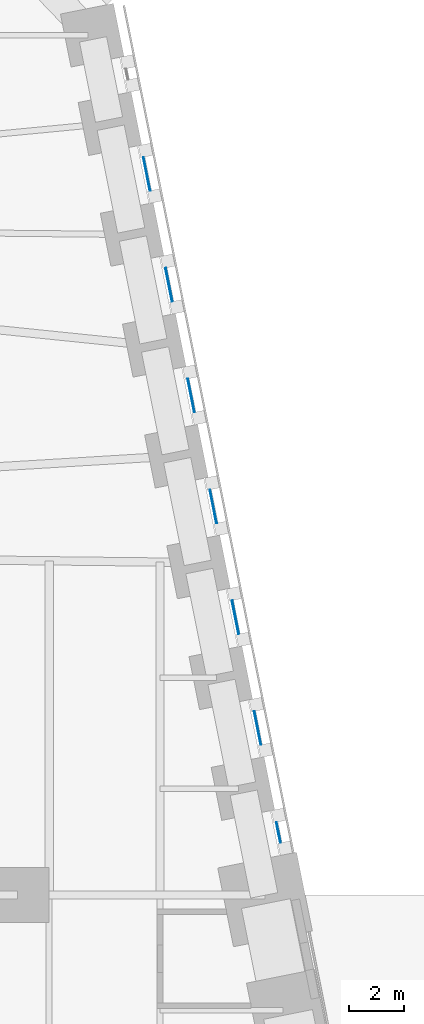
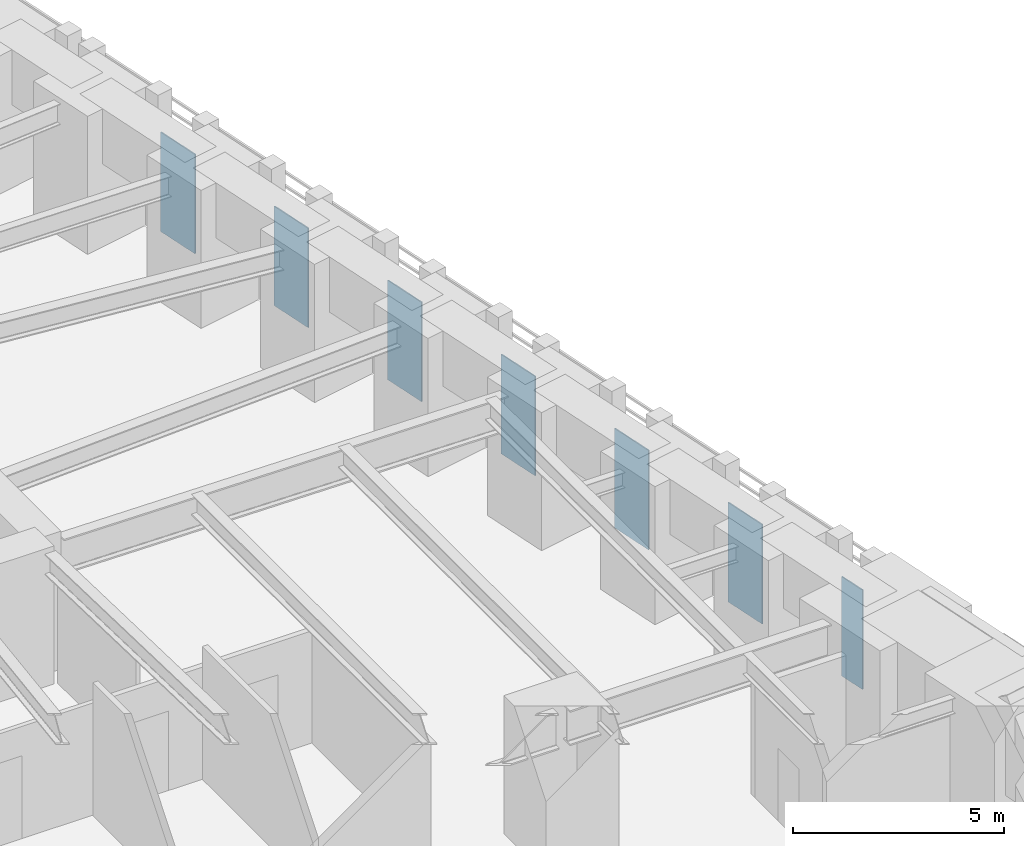
# One storey, part 9 of 18: 7 plates, 7 elements without a shape of their own.
"""IFC4 building model written with IfcOpenShell, lengths in metres."""

from ifc_helpers import new_model, si_unit, direction, frame, origin, origin_2d, place, context, subcontext, project, spatial, rectangle, extrude, material, layer, layer_set, type_object, element, aggregate, save


model = new_model("IFC4")

# Units and contexts
model_context = context("Model", 3, precision=1e-05, world=origin(), true_north=direction((0.0, 1.0)))
body_context = subcontext(model_context, "Body", "Model", "MODEL_VIEW")
ifc_project = project(units=[si_unit("LENGTHUNIT", "METRE"), si_unit("AREAUNIT", "SQUARE_METRE"), si_unit("VOLUMEUNIT", "CUBIC_METRE"), si_unit("PLANEANGLEUNIT", "RADIAN"), si_unit("MASSUNIT", "GRAM", prefix="KILO")], contexts=[model_context])

# Site, building, storey
site_placement = place(None, origin())
site = spatial("IfcSite", under=ifc_project, at=site_placement, CompositionType="ELEMENT")
building_placement = place(site_placement, origin())
building = spatial("IfcBuilding", under=site, at=building_placement, Name="Isbrekke Arena Tower", CompositionType="ELEMENT")
storey_placement = place(building_placement, frame((0.0, 0.0, 28.0)))
storey = spatial("IfcBuildingStorey", under=building, at=storey_placement, Name="L04", CompositionType="ELEMENT", Elevation=28.0)

# Curtain wall, plate
ifc_material_1 = material(Name="Glazed aluminium curtain wall", Category="aluminium")
curtain_wall_type = type_object("IfcCurtainWallType", Name="CWL TOWER CURTAIN WALL LOW ZONE", PredefinedType="USERDEFINED", material=ifc_material_1)
curtain_wall_1_placement = place(storey_placement, origin())
curtain_wall_1 = element("IfcCurtainWall", 1, at=curtain_wall_1_placement, inside=storey, type_object=curtain_wall_type, Name="CWL curtain wall L04-E2", ObjectType="TOWER CURTAIN WALL LOW ZONE", PredefinedType="USERDEFINED")
ifc_material_2 = material(Name="Triple-glazed clear glass unit", Category="glass")
ifc_layer = layer(ifc_material_2, 0.031982421875)
ifc_layer_set = layer_set([ifc_layer], Name="CWL-P VISION PANEL")
plate_type = type_object("IfcPlateType", Name="CWL-P VISION PANEL", PredefinedType="CURTAIN_PANEL", material=ifc_layer_set)
plate_1_placement = place(storey_placement, frame((30.276123046875, -3.74365234375, 0.02001953125), z_axis=(0.0, 0.0, 1.0), x_axis=(-0.196116135138, 0.980580675691, 0.0)))
plate_1 = element("IfcPlate", 2, at=plate_1_placement, type_object=plate_type, Name="CWL-P panel 1", PredefinedType="CURTAIN_PANEL", context=body_context, shape_type="SweptSolid", body=[
    extrude(rectangle(XDim=0.756103515625, YDim=0.031982421875, at=origin_2d()), origin(), (0.0, 0.0, 1.0), 2.8798828125),
])
aggregate(curtain_wall_1, [plate_1])

curtain_wall_2_placement = place(storey_placement, origin())
curtain_wall_2 = element("IfcCurtainWall", 3, at=curtain_wall_2_placement, inside=storey, type_object=curtain_wall_type, Name="CWL curtain wall L04-E23", ObjectType="TOWER CURTAIN WALL LOW ZONE", PredefinedType="USERDEFINED")
plate_2_placement = place(storey_placement, frame((29.5224609375, 0.0244140625, 0.02001953125), z_axis=(0.0, 0.0, 1.0), x_axis=(-0.196116135138, 0.980580675691, 0.0)))
plate_2 = element("IfcPlate", 4, at=plate_2_placement, type_object=plate_type, Name="CWL-P panel 1", PredefinedType="CURTAIN_PANEL", context=body_context, shape_type="SweptSolid", body=[
    extrude(rectangle(XDim=1.229248046875, YDim=0.031982421875, at=origin_2d()), origin(), (0.0, 0.0, 1.0), 2.8798828125),
])
aggregate(curtain_wall_2, [plate_2])

curtain_wall_3_placement = place(storey_placement, origin())
curtain_wall_3 = element("IfcCurtainWall", 5, at=curtain_wall_3_placement, inside=storey, type_object=curtain_wall_type, Name="CWL curtain wall L04-E25", ObjectType="TOWER CURTAIN WALL LOW ZONE", PredefinedType="USERDEFINED")
plate_3_placement = place(storey_placement, frame((28.72265625, 4.0244140625, 0.02001953125), z_axis=(0.0, 0.0, 1.0), x_axis=(-0.196116135138, 0.980580675691, 0.0)))
plate_3 = element("IfcPlate", 6, at=plate_3_placement, type_object=plate_type, Name="CWL-P panel 1", PredefinedType="CURTAIN_PANEL", context=body_context, shape_type="SweptSolid", body=[
    extrude(rectangle(XDim=1.229248046875, YDim=0.031982421875, at=origin_2d()), origin(), (0.0, 0.0, 1.0), 2.8798828125),
])
aggregate(curtain_wall_3, [plate_3])

curtain_wall_4_placement = place(storey_placement, origin())
curtain_wall_4 = element("IfcCurtainWall", 7, at=curtain_wall_4_placement, inside=storey, type_object=curtain_wall_type, Name="CWL curtain wall L04-E27", ObjectType="TOWER CURTAIN WALL LOW ZONE", PredefinedType="USERDEFINED")
plate_4_placement = place(storey_placement, frame((27.922607421875, 8.0244140625, 0.02001953125), z_axis=(0.0, 0.0, 1.0), x_axis=(-0.196116135138, 0.980580675691, 0.0)))
plate_4 = element("IfcPlate", 8, at=plate_4_placement, type_object=plate_type, Name="CWL-P panel 1", PredefinedType="CURTAIN_PANEL", context=body_context, shape_type="SweptSolid", body=[
    extrude(rectangle(XDim=1.229248046875, YDim=0.031982421875, at=origin_2d()), origin(), (0.0, 0.0, 1.0), 2.8798828125),
])
aggregate(curtain_wall_4, [plate_4])

curtain_wall_5_placement = place(storey_placement, origin())
curtain_wall_5 = element("IfcCurtainWall", 9, at=curtain_wall_5_placement, inside=storey, type_object=curtain_wall_type, Name="CWL curtain wall L04-E29", ObjectType="TOWER CURTAIN WALL LOW ZONE", PredefinedType="USERDEFINED")
plate_5_placement = place(storey_placement, frame((27.12255859375, 12.0244140625, 0.02001953125), z_axis=(0.0, 0.0, 1.0), x_axis=(-0.196116135138, 0.980580675691, 0.0)))
plate_5 = element("IfcPlate", 10, at=plate_5_placement, type_object=plate_type, Name="CWL-P panel 1", PredefinedType="CURTAIN_PANEL", context=body_context, shape_type="SweptSolid", body=[
    extrude(rectangle(XDim=1.229248046875, YDim=0.031982421875, at=origin_2d()), origin(), (0.0, 0.0, 1.0), 2.8798828125),
])
aggregate(curtain_wall_5, [plate_5])

curtain_wall_6_placement = place(storey_placement, origin())
curtain_wall_6 = element("IfcCurtainWall", 11, at=curtain_wall_6_placement, inside=storey, type_object=curtain_wall_type, Name="CWL curtain wall L04-E211", ObjectType="TOWER CURTAIN WALL LOW ZONE", PredefinedType="USERDEFINED")
plate_6_placement = place(storey_placement, frame((26.322509765625, 16.0244140625, 0.02001953125), z_axis=(0.0, 0.0, 1.0), x_axis=(-0.196116135138, 0.980580675691, 0.0)))
plate_6 = element("IfcPlate", 12, at=plate_6_placement, type_object=plate_type, Name="CWL-P panel 1", PredefinedType="CURTAIN_PANEL", context=body_context, shape_type="SweptSolid", body=[
    extrude(rectangle(XDim=1.229248046875, YDim=0.031982421875, at=origin_2d()), origin(), (0.0, 0.0, 1.0), 2.8798828125),
])
aggregate(curtain_wall_6, [plate_6])

curtain_wall_7_placement = place(storey_placement, origin())
curtain_wall_7 = element("IfcCurtainWall", 13, at=curtain_wall_7_placement, inside=storey, type_object=curtain_wall_type, Name="CWL curtain wall L04-E213", ObjectType="TOWER CURTAIN WALL LOW ZONE", PredefinedType="USERDEFINED")
plate_7_placement = place(storey_placement, frame((25.5224609375, 20.0244140625, 0.02001953125), z_axis=(0.0, 0.0, 1.0), x_axis=(-0.196116135138, 0.980580675691, 0.0)))
plate_7 = element("IfcPlate", 14, at=plate_7_placement, type_object=plate_type, Name="CWL-P panel 1", PredefinedType="CURTAIN_PANEL", context=body_context, shape_type="SweptSolid", body=[
    extrude(rectangle(XDim=1.229248046875, YDim=0.031982421875, at=origin_2d()), origin(), (0.0, 0.0, 1.0), 2.8798828125),
])
aggregate(curtain_wall_7, [plate_7])

save(model, "model.ifc")
